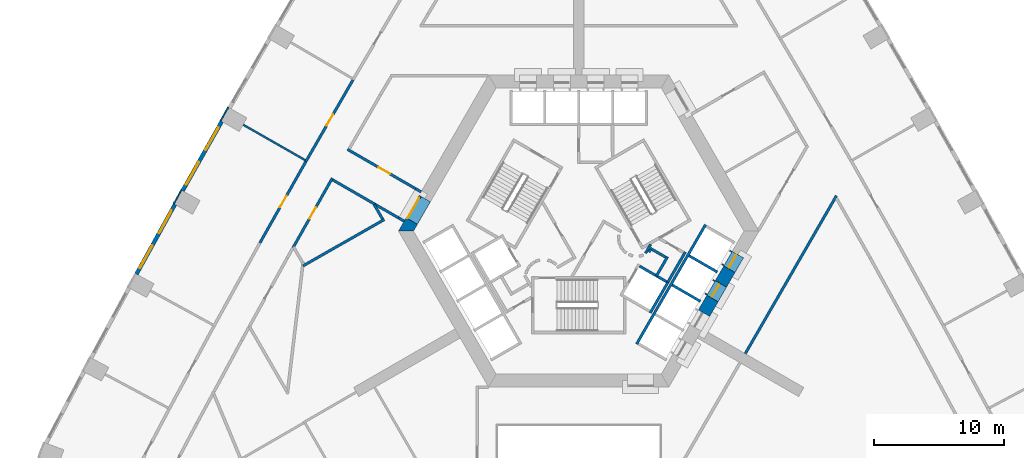
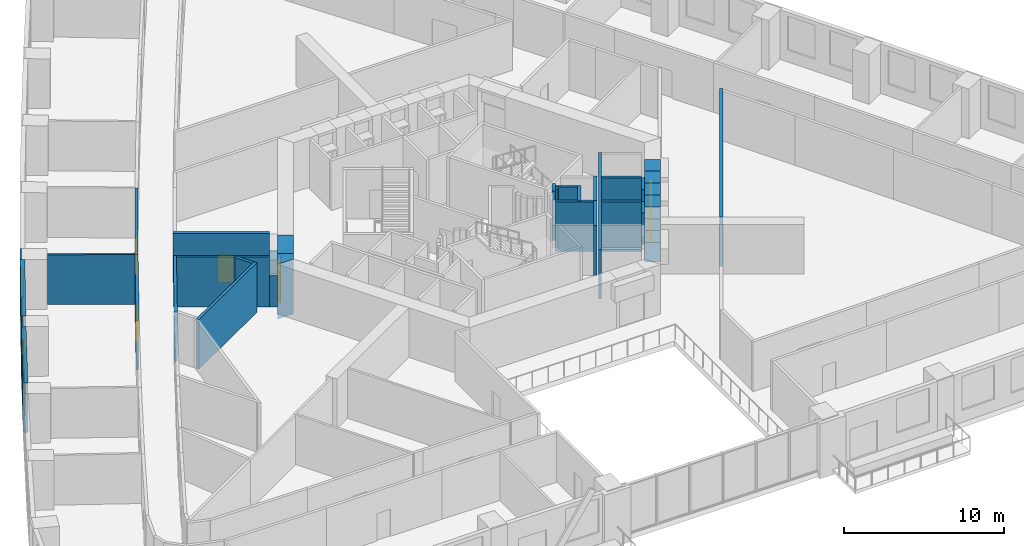
# One storey, part 7 of 14: 35 walls, 7 doors, 4 windows, 11 openings.
"""IFC4 building model written with IfcOpenShell, lengths in metres."""

from ifc_helpers import new_model, si_unit, direction, frame, frame_2d, origin, place, context, subcontext, project, spatial, polyline, rectangle, outline, extrude, material, layer, layer_set, type_object, element, fill, save


model = new_model("IFC4")

# Units and contexts
model_context = context("Model", 3, precision=1e-05, world=origin(), true_north=direction((0.0, 1.0)))
body_context = subcontext(model_context, "Body", "Model", "MODEL_VIEW")
ifc_project = project(units=[si_unit("LENGTHUNIT", "METRE"), si_unit("AREAUNIT", "SQUARE_METRE"), si_unit("VOLUMEUNIT", "CUBIC_METRE"), si_unit("PLANEANGLEUNIT", "RADIAN"), si_unit("MASSUNIT", "GRAM", prefix="KILO")], contexts=[model_context])

# Site, building, storey
site_placement = place(None, origin())
site = spatial("IfcSite", under=ifc_project, at=site_placement, CompositionType="ELEMENT")
building_placement = place(site_placement, origin())
building = spatial("IfcBuilding", under=site, at=building_placement, Name="Entoto Arch Interchange Tower", CompositionType="ELEMENT")
storey_placement = place(building_placement, frame((0.0, 0.0, 64.39990234375)))
storey = spatial("IfcBuildingStorey", under=building, at=storey_placement, Name="L13", CompositionType="ELEMENT", Elevation=64.39990234375)

# Wall, opening, door
ifc_material_1 = material(Name="Reinforced concrete C40/50", Category="concrete")
ifc_layer_1 = layer(ifc_material_1, 0.199951171875)
ifc_layer_set_1 = layer_set([ifc_layer_1], Name="Reinforced concrete C40/50")
wall_type_1 = type_object("IfcWallType", Name="CORE GAP INFILL WALL", PredefinedType="PARTITIONING", material=ifc_layer_set_1)
wall_1_placement = place(storey_placement, frame((-12.179931640625, 5.201904296875, 0.0), z_axis=(0.0, 0.0, 1.0), x_axis=(-0.50002537861, -0.866010750942, 0.0)))
wall_1 = element("IfcWall", 1, at=wall_1_placement, inside=storey, type_object=wall_type_1, Name="wall:L13:gap3", PredefinedType="PARTITIONING", context=body_context, shape_type="SweptSolid", body=[
    extrude(rectangle(XDim=2.0, YDim=0.199951171875, at=frame_2d((1.0, 0.0))), origin(), (0.0, 0.0, 1.0), 2.400146484375),
])
opening_1_placement = place(wall_1_placement, frame((0.18994140625, 0.0, 0.0)))
opening_1 = element("IfcOpeningElement", 2, at=opening_1_placement, cuts=wall_1, Name="Opening L13-D93", PredefinedType="OPENING", context=body_context, shape_type="SweptSolid", body=[
    extrude(rectangle(XDim=1.800048828125, YDim=2.10009765625, at=frame_2d((0.89990234375, 1.050048828125))), frame((0.0, 0.10986328125, 0.0), z_axis=(0.0, -1.0, 0.0), x_axis=(1.0, 0.0, 0.0)), (0.0, 0.0, 1.0), 0.219970703125),
])
ifc_material_2 = material(Name="Fire-rated Steel S235 door and frame", Category="steel")
door_type_1 = type_object("IfcDoorType", Name="DOOR FD-18 1800x2100", OperationType="DOUBLE_DOOR_SINGLE_SWING", PredefinedType="DOOR", material=ifc_material_2)
door_1_placement = place(opening_1_placement, origin())
door_1 = element("IfcDoor", 3, at=door_1_placement, inside=storey, type_object=door_type_1, Name="door:L13:gap3", OperationType="DOUBLE_DOOR_SINGLE_SWING", OverallHeight=2.10009765625, OverallWidth=1.800048828125, PredefinedType="DOOR", context=body_context, shape_type="SweptSolid", body=[
    extrude(rectangle(XDim=1.800048828125, YDim=2.10009765625, at=frame_2d((0.89990234375, 1.050048828125))), frame((0.0, 0.02490234375, 0.0), z_axis=(0.0, -1.0, 0.0), x_axis=(1.0, 0.0, 0.0)), (0.0, 0.0, 1.0), 0.050048828125),
])
fill(opening_1, door_1)

# Walls
ifc_material_3 = material(Name="Concrete C60/75", Category="concrete")
ifc_layer_2 = layer(ifc_material_3, 1.0)
ifc_layer_set_2 = layer_set([ifc_layer_2], Name="Concrete C60/75")
wall_type_2 = type_object("IfcWallType", Name="Core wall 1000 C60/75", PredefinedType="SHEAR", material=ifc_layer_set_2)
wall_2_placement = place(storey_placement, frame((0.0, 0.0, -0.39990234375)))
element("IfcWall", 4, at=wall_2_placement, inside=storey, type_object=wall_type_2, Name="Core wall NW L13", PredefinedType="SHEAR", context=body_context, shape_type="SweptSolid", body=[
    extrude(outline(polyline([(-12.402099609375, 3.02001953125), (-13.26708984375, 3.52001953125), (-13.85595703125, 2.5), (-12.701904296875, 2.5), (-12.402099609375, 3.02001953125)])), origin(), (0.0, 0.0, 1.0), 4.199951171875),
])
wall_3_placement = place(storey_placement, frame((0.0, 0.0, 3.60009765625)))
element("IfcWall", 5, at=wall_3_placement, inside=storey, type_object=wall_type_2, Name="Core wall lintel NW L13", PredefinedType="SHEAR", context=body_context, shape_type="SweptSolid", body=[
    extrude(outline(polyline([(-13.26708984375, 3.52001953125), (-12.402099609375, 3.02001953125), (-11.402099609375, 4.751953125), (-12.26708984375, 5.251953125), (-13.26708984375, 3.52001953125)])), origin(), (0.0, 0.0, 1.0), 0.199951171875),
])
wall_4_placement = place(storey_placement, frame((0.0, 0.0, -0.39990234375)))
element("IfcWall", 6, at=wall_4_placement, inside=storey, type_object=wall_type_2, Name="Core wall SE L13", PredefinedType="SHEAR", context=body_context, shape_type="SweptSolid", body=[
    extrude(outline(polyline([(10.717041015625, -2.93701171875), (9.85107421875, -2.43701171875), (9.200927734375, -3.56298828125), (10.06689453125, -4.06298828125), (10.717041015625, -2.93701171875)])), origin(), (0.0, 0.0, 1.0), 4.199951171875),
])
wall_5_placement = place(storey_placement, frame((0.0, 0.0, -0.39990234375)))
element("IfcWall", 7, at=wall_5_placement, inside=storey, type_object=wall_type_2, Name="Core wall SE L13", PredefinedType="SHEAR", context=body_context, shape_type="SweptSolid", body=[
    extrude(outline(polyline([(12.01708984375, -0.68603515625), (11.15087890625, -0.18603515625), (10.5009765625, -1.31103515625), (11.366943359375, -1.81103515625), (12.01708984375, -0.68603515625)])), origin(), (0.0, 0.0, 1.0), 4.199951171875),
])
wall_6_placement = place(storey_placement, frame((0.0, 0.0, 3.60009765625)))
element("IfcWall", 8, at=wall_6_placement, inside=storey, type_object=wall_type_2, Name="Core wall lintel SE L13", PredefinedType="SHEAR", context=body_context, shape_type="SweptSolid", body=[
    extrude(outline(polyline([(11.366943359375, -1.81103515625), (10.5009765625, -1.31103515625), (9.85107421875, -2.43701171875), (10.717041015625, -2.93701171875), (11.366943359375, -1.81103515625)])), origin(), (0.0, 0.0, 1.0), 0.199951171875),
])
wall_7_placement = place(storey_placement, frame((0.0, 0.0, 3.60009765625)))
element("IfcWall", 9, at=wall_7_placement, inside=storey, type_object=wall_type_2, Name="Core wall lintel SE L13", PredefinedType="SHEAR", context=body_context, shape_type="SweptSolid", body=[
    extrude(outline(polyline([(12.6669921875, 0.43994140625), (11.801025390625, 0.93994140625), (11.15087890625, -0.18603515625), (12.01708984375, -0.68603515625), (12.6669921875, 0.43994140625)])), origin(), (0.0, 0.0, 1.0), 0.199951171875),
])

# Wall, opening, door
ifc_material_4 = material(Name="Concrete C40/50", Category="concrete")
ifc_layer_3 = layer(ifc_material_4, 1.199951171875)
ifc_layer_set_3 = layer_set([ifc_layer_3], Name="Concrete C40/50")
wall_type_3 = type_object("IfcWallType", Name="LIFT LANDING INFILL WALL", PredefinedType="STANDARD", material=ifc_layer_set_3)
wall_8_placement = place(storey_placement, frame((10.197998046875, -2.636962890625, 0.0), z_axis=(0.0, 0.0, 1.0), x_axis=(0.49989585183, 0.866085525409, 0.0)))
wall_8 = element("IfcWall", 10, at=wall_8_placement, inside=storey, type_object=wall_type_3, Name="Lift landing infill wall LR7 L13", PredefinedType="STANDARD", context=body_context, shape_type="SweptSolid", body=[
    extrude(rectangle(XDim=1.300048828125, YDim=1.199951171875, at=frame_2d((0.64990234375, 0.0))), origin(), (0.0, 0.0, 1.0), 2.400146484375),
])
opening_2_placement = place(wall_8_placement, frame((0.10009765625, 0.0, 0.0)))
opening_2 = element("IfcOpeningElement", 11, at=opening_2_placement, cuts=wall_8, Name="Opening LD-LR7-L13", PredefinedType="OPENING", context=body_context, shape_type="SweptSolid", body=[
    extrude(rectangle(XDim=1.10009765625, YDim=2.300048828125, at=frame_2d((0.550048828125, 1.14990234375))), frame((0.0, 0.60986328125, 0.0), z_axis=(0.0, -1.0, 0.0), x_axis=(1.0, 0.0, 0.0)), (0.0, 0.0, 1.0), 1.219970703125),
])
ifc_material_5 = material(Name="Stainless steel 1.4301 panels", Category="steel")
door_type_2 = type_object("IfcDoorType", Name="LIFT LANDING DOOR LD2 1100x2300", OperationType="SLIDING_TO_LEFT", PredefinedType="DOOR", material=ifc_material_5)
door_2_placement = place(opening_2_placement, origin())
door_2 = element("IfcDoor", 12, at=door_2_placement, inside=storey, type_object=door_type_2, Name="Lift landing door LR7 L13", OperationType="SLIDING_TO_LEFT", OverallHeight=2.300048828125, OverallWidth=1.10009765625, PredefinedType="DOOR", context=body_context, shape_type="SweptSolid", body=[
    extrude(rectangle(XDim=1.10009765625, YDim=2.300048828125, at=frame_2d((0.550048828125, 1.14990234375))), frame((0.0, 0.02490234375, 0.0), z_axis=(0.0, -1.0, 0.0), x_axis=(1.0, 0.0, 0.0)), (0.0, 0.0, 1.0), 0.050048828125),
])
fill(opening_2, door_2)

wall_9_placement = place(storey_placement, frame((11.498046875, -0.385009765625, 0.0), z_axis=(0.0, 0.0, 1.0), x_axis=(0.500221244143, 0.865897630733, 0.0)))
wall_9 = element("IfcWall", 13, at=wall_9_placement, inside=storey, type_object=wall_type_3, Name="Lift landing infill wall LR8 L13", PredefinedType="STANDARD", context=body_context, shape_type="SweptSolid", body=[
    extrude(rectangle(XDim=1.29931640625, YDim=1.199951171875, at=frame_2d((0.649658203125, 0.0))), origin(), (0.0, 0.0, 1.0), 2.400146484375),
])
opening_3_placement = place(wall_9_placement, frame((0.10009765625, 0.0, 0.0)))
opening_3 = element("IfcOpeningElement", 14, at=opening_3_placement, cuts=wall_9, Name="Opening LD-LR8-L13", PredefinedType="OPENING", context=body_context, shape_type="SweptSolid", body=[
    extrude(rectangle(XDim=1.10009765625, YDim=2.300048828125, at=frame_2d((0.550048828125, 1.14990234375))), frame((0.0, 0.60986328125, 0.0), z_axis=(0.0, -1.0, 0.0), x_axis=(1.0, 0.0, 0.0)), (0.0, 0.0, 1.0), 1.219970703125),
])
door_3_placement = place(opening_3_placement, origin())
door_3 = element("IfcDoor", 15, at=door_3_placement, inside=storey, type_object=door_type_2, Name="Lift landing door LR8 L13", OperationType="SLIDING_TO_LEFT", OverallHeight=2.300048828125, OverallWidth=1.10009765625, PredefinedType="DOOR", context=body_context, shape_type="SweptSolid", body=[
    extrude(rectangle(XDim=1.10009765625, YDim=2.300048828125, at=frame_2d((0.550048828125, 1.14990234375))), frame((0.0, 0.02490234375, 0.0), z_axis=(0.0, -1.0, 0.0), x_axis=(1.0, 0.0, 0.0)), (0.0, 0.0, 1.0), 0.050048828125),
])
fill(opening_3, door_3)

# Walls
ifc_layer_4 = layer(ifc_material_4, 0.199951171875)
ifc_layer_set_4 = layer_set([ifc_layer_4], Name="Concrete C40/50")
wall_type_4 = type_object("IfcWallType", Name="LIFT SHAFT WALL 200", PredefinedType="STANDARD", material=ifc_layer_set_4)
wall_10_placement = place(storey_placement, frame((5.491943359375, -3.7880859375, 0.0), z_axis=(0.0, 0.0, 1.0), x_axis=(0.500011755427, 0.866018616679, 0.0)))
element("IfcWall", 16, at=wall_10_placement, inside=storey, type_object=wall_type_4, Name="Shaft wall SE1 back", PredefinedType="STANDARD", context=body_context, shape_type="SweptSolid", body=[
    extrude(rectangle(XDim=2.80029296875, YDim=0.199951171875, at=frame_2d((1.400146484375, 0.0))), origin(), (0.0, 0.0, 1.0), 3.800048828125),
])
wall_11_placement = place(storey_placement, frame((4.677001953125, -0.199951171875, 0.0), z_axis=(0.0, 0.0, 1.0), x_axis=(0.865973769406, -0.500089422704, 0.0)))
element("IfcWall", 17, at=wall_11_placement, inside=storey, type_object=wall_type_4, Name="Shaft wall SE1 cross 2", PredefinedType="STANDARD", context=body_context, shape_type="SweptSolid", body=[
    extrude(rectangle(XDim=2.3994140625, YDim=0.199951171875, at=frame_2d((1.19970703125, 0.0))), origin(), (0.0, 0.0, 1.0), 3.800048828125),
])
wall_12_placement = place(storey_placement, frame((4.450927734375, -6.18994140625, 0.0), z_axis=(0.0, 0.0, 1.0), x_axis=(0.50000090737, 0.866024879913, 0.0)))
element("IfcWall", 18, at=wall_12_placement, inside=storey, type_object=wall_type_4, Name="Shaft wall SE3 front", PredefinedType="STANDARD", context=body_context, shape_type="SweptSolid", body=[
    extrude(rectangle(XDim=10.60009765625, YDim=0.199951171875, at=frame_2d((5.300048828125, 0.0))), origin(), (0.0, 0.0, 1.0), 3.800048828125),
])
for number, where, z_axis, x_axis, name in (
    (19, (7.18798828125, -1.64990234375, 0.0), (0.0, 0.0, 1.0), (0.866022959057, -0.500004234368, 0.0), "Shaft wall SE3 cross 3"),
    (20, (8.488037109375, 0.60205078125, 0.0), (0.0, 0.0, 1.0), (0.866022959057, -0.500004234368, 0.0), "Shaft wall SE3 cross 4"),
):
    element("IfcWall", number, at=place(storey_placement, frame(where, z_axis=z_axis, x_axis=x_axis)), inside=storey, type_object=wall_type_4, Name=name, PredefinedType="STANDARD", context=body_context, shape_type="SweptSolid", body=[
        extrude(rectangle(XDim=2.5, YDim=0.199951171875, at=frame_2d((1.25, 0.0))), origin(), (0.0, 0.0, 1.0), 3.800048828125),
    ])
ifc_material_6 = material(Name="Gypsum board partition on steel studs", Category="steel")
ifc_layer_5 = layer(ifc_material_6, 0.14990234375)
ifc_layer_set_5 = layer_set([ifc_layer_5], Name="Gypsum board partition on steel studs")
wall_type_5 = type_object("IfcWallType", Name="PARTITION 150", PredefinedType="PARTITIONING", material=ifc_layer_set_5)
wall_13_placement = place(storey_placement, frame((-21.032958984375, 7.952880859375, 0.0), z_axis=(0.0, 0.0, 1.0), x_axis=(-0.868311678357, 0.496018980715, 0.0)))
element("IfcWall", 21, at=wall_13_placement, inside=storey, type_object=wall_type_5, Name="wall:L13:p146", PredefinedType="PARTITIONING", context=body_context, shape_type="SweptSolid", body=[
    extrude(rectangle(XDim=5.479736328125, YDim=0.14990234375, at=frame_2d((2.73974609375, 0.0))), origin(), (0.0, 0.0, 1.0), 3.800048828125),
])

# Wall, opening, door
ifc_layer_6 = layer(ifc_material_6, 0.199951171875)
ifc_layer_set_6 = layer_set([ifc_layer_6], Name="Gypsum board partition on steel studs")
wall_type_6 = type_object("IfcWallType", Name="PARTITION 200", PredefinedType="PARTITIONING", material=ifc_layer_set_6)
wall_14_placement = place(storey_placement, frame((-17.782958984375, 8.782958984375, 0.0), z_axis=(0.0, 0.0, 1.0), x_axis=(0.866041598752, -0.499971948444, 0.0)))
wall_14 = element("IfcWall", 22, at=wall_14_placement, inside=storey, type_object=wall_type_6, Name="wall:L13:p003", PredefinedType="PARTITIONING", context=body_context, shape_type="SweptSolid", body=[
    extrude(rectangle(XDim=6.042236328125, YDim=0.199951171875, at=frame_2d((3.02099609375, 0.0))), origin(), (0.0, 0.0, 1.0), 3.800048828125),
])
opening_4_placement = place(wall_14_placement, frame((2.77099609375, 0.0, 0.0)))
opening_4 = element("IfcOpeningElement", 23, at=opening_4_placement, cuts=wall_14, Name="Opening L13-D27", PredefinedType="OPENING", context=body_context, shape_type="SweptSolid", body=[
    extrude(rectangle(XDim=1.0, YDim=2.10009765625, at=frame_2d((0.5, 1.050048828125))), frame((0.0, 0.10986328125, 0.0), z_axis=(0.0, -1.0, 0.0), x_axis=(1.0, 0.0, 0.0)), (0.0, 0.0, 1.0), 0.219970703125),
])
ifc_material_7 = material(Name="Timber door leaf in Steel S235 frame", Category="steel")
door_type_3 = type_object("IfcDoorType", Name="DOOR DS-10 1000x2100", OperationType="SINGLE_SWING_LEFT", PredefinedType="DOOR", material=ifc_material_7)
door_4_placement = place(opening_4_placement, origin())
door_4 = element("IfcDoor", 24, at=door_4_placement, inside=storey, type_object=door_type_3, Name="door:L13:27", OperationType="SINGLE_SWING_LEFT", OverallHeight=2.10009765625, OverallWidth=1.0, PredefinedType="DOOR", context=body_context, shape_type="SweptSolid", body=[
    extrude(rectangle(XDim=1.0, YDim=2.10009765625, at=frame_2d((0.5, 1.050048828125))), frame((0.0, 0.02490234375, 0.0), z_axis=(0.0, -1.0, 0.0), x_axis=(1.0, 0.0, 0.0)), (0.0, 0.0, 1.0), 0.050048828125),
])
fill(opening_4, door_4)

# Wall
wall_15_placement = place(storey_placement, frame((-15.68701171875, 4.571044921875, 0.0), z_axis=(0.0, 0.0, 1.0), x_axis=(-0.866044530317, 0.49996687041, 0.0)))
element("IfcWall", 25, at=wall_15_placement, inside=storey, type_object=wall_type_6, Name="wall:L13:p027", PredefinedType="PARTITIONING", context=body_context, shape_type="SweptSolid", body=[
    extrude(rectangle(XDim=3.718017578125, YDim=0.199951171875, at=frame_2d((1.85888671875, 0.0))), origin(), (0.0, 0.0, 1.0), 3.800048828125),
])

# Wall, opening, door
wall_16_placement = place(storey_placement, frame((-18.945068359375, 6.56689453125, 0.0), z_axis=(0.0, 0.0, 1.0), x_axis=(-0.491840751019, -0.87068517596, 0.0)))
wall_16 = element("IfcWall", 26, at=wall_16_placement, inside=storey, type_object=wall_type_6, Name="wall:L13:p028", PredefinedType="PARTITIONING", context=body_context, shape_type="SweptSolid", body=[
    extrude(rectangle(XDim=6.16845703125, YDim=0.199951171875, at=frame_2d((3.084228515625, 0.0))), origin(), (0.0, 0.0, 1.0), 3.800048828125),
])
opening_5_placement = place(wall_16_placement, frame((2.583984375, 0.0, 0.0)))
opening_5 = element("IfcOpeningElement", 27, at=opening_5_placement, cuts=wall_16, Name="Opening L13-D21", PredefinedType="OPENING", context=body_context, shape_type="SweptSolid", body=[
    extrude(rectangle(XDim=1.0, YDim=2.10009765625, at=frame_2d((0.5, 1.050048828125))), frame((0.0, 0.10986328125, 0.0), z_axis=(0.0, -1.0, 0.0), x_axis=(1.0, 0.0, 0.0)), (0.0, 0.0, 1.0), 0.219970703125),
])
door_5_placement = place(opening_5_placement, origin())
door_5 = element("IfcDoor", 28, at=door_5_placement, inside=storey, type_object=door_type_3, Name="door:L13:21", OperationType="SINGLE_SWING_LEFT", OverallHeight=2.10009765625, OverallWidth=1.0, PredefinedType="DOOR", context=body_context, shape_type="SweptSolid", body=[
    extrude(rectangle(XDim=1.0, YDim=2.10009765625, at=frame_2d((0.5, 1.050048828125))), frame((0.0, 0.02490234375, 0.0), z_axis=(0.0, -1.0, 0.0), x_axis=(1.0, 0.0, 0.0)), (0.0, 0.0, 1.0), 0.050048828125),
])
fill(opening_5, door_5)

# Wall
wall_17_placement = place(storey_placement, frame((-13.4169921875, 3.260009765625, 0.0), z_axis=(0.0, 0.0, 1.0), x_axis=(-0.866071776036, 0.499919672301, 0.0)))
element("IfcWall", 29, at=wall_17_placement, inside=storey, type_object=wall_type_6, Name="wall:L13:p029", PredefinedType="PARTITIONING", context=body_context, shape_type="SweptSolid", body=[
    extrude(rectangle(XDim=0.5, YDim=0.199951171875, at=frame_2d((0.25, 0.0))), origin(), (0.0, 0.0, 1.0), 2.400146484375),
])

# Wall, opening, door
wall_18_placement = place(storey_placement, frame((-17.35595703125, 14.1220703125, 0.0), z_axis=(0.0, 0.0, 1.0), x_axis=(-0.499946764175, -0.866056137321, 0.0)))
wall_18 = element("IfcWall", 30, at=wall_18_placement, inside=storey, type_object=wall_type_6, Name="wall:L13:p070", PredefinedType="PARTITIONING", context=body_context, shape_type="SweptSolid", body=[
    extrude(rectangle(XDim=7.254638671875, YDim=0.199951171875, at=frame_2d((3.62744140625, 0.0))), origin(), (0.0, 0.0, 1.0), 3.800048828125),
])
opening_6_placement = place(wall_18_placement, frame((3.052001953125, 0.0, 0.0)))
opening_6 = element("IfcOpeningElement", 31, at=opening_6_placement, cuts=wall_18, Name="Opening L13-D13", PredefinedType="OPENING", context=body_context, shape_type="SweptSolid", body=[
    extrude(rectangle(XDim=1.0, YDim=2.10009765625, at=frame_2d((0.5, 1.050048828125))), frame((0.0, 0.10986328125, 0.0), z_axis=(0.0, -1.0, 0.0), x_axis=(1.0, 0.0, 0.0)), (0.0, 0.0, 1.0), 0.219970703125),
])
door_6_placement = place(opening_6_placement, origin())
door_6 = element("IfcDoor", 32, at=door_6_placement, inside=storey, type_object=door_type_3, Name="door:L13:13", OperationType="SINGLE_SWING_RIGHT", OverallHeight=2.10009765625, OverallWidth=1.0, PredefinedType="DOOR", context=body_context, shape_type="SweptSolid", body=[
    extrude(rectangle(XDim=1.0, YDim=2.10009765625, at=frame_2d((0.5, 1.050048828125))), frame((0.0, 0.02490234375, 0.0), z_axis=(0.0, -1.0, 0.0), x_axis=(1.0, 0.0, 0.0)), (0.0, 0.0, 1.0), 0.050048828125),
])
fill(opening_6, door_6)

wall_19_placement = place(storey_placement, frame((-24.514892578125, 1.5849609375, 0.0), z_axis=(0.0, 0.0, 1.0), x_axis=(0.49174361417, 0.870740040381, 0.0)))
wall_19 = element("IfcWall", 33, at=wall_19_placement, inside=storey, type_object=wall_type_6, Name="wall:L13:p072", PredefinedType="PARTITIONING", context=body_context, shape_type="SweptSolid", body=[
    extrude(rectangle(XDim=7.1826171875, YDim=0.199951171875, at=frame_2d((3.59130859375, 0.0))), origin(), (0.0, 0.0, 1.0), 3.800048828125),
])
opening_7_placement = place(wall_19_placement, frame((3.166015625, 0.0, 0.0)))
opening_7 = element("IfcOpeningElement", 34, at=opening_7_placement, cuts=wall_19, Name="Opening L13-D14", PredefinedType="OPENING", context=body_context, shape_type="SweptSolid", body=[
    extrude(rectangle(XDim=1.0, YDim=2.10009765625, at=frame_2d((0.5, 1.050048828125))), frame((0.0, 0.10986328125, 0.0), z_axis=(0.0, -1.0, 0.0), x_axis=(1.0, 0.0, 0.0)), (0.0, 0.0, 1.0), 0.219970703125),
])
door_7_placement = place(opening_7_placement, origin())
door_7 = element("IfcDoor", 35, at=door_7_placement, inside=storey, type_object=door_type_3, Name="door:L13:14", OperationType="SINGLE_SWING_RIGHT", OverallHeight=2.10009765625, OverallWidth=1.0, PredefinedType="DOOR", context=body_context, shape_type="SweptSolid", body=[
    extrude(rectangle(XDim=1.0, YDim=2.10009765625, at=frame_2d((0.5, 1.050048828125))), frame((0.0, 0.02490234375, 0.0), z_axis=(0.0, -1.0, 0.0), x_axis=(1.0, 0.0, 0.0)), (0.0, 0.0, 1.0), 0.050048828125),
])
fill(opening_7, door_7)

# Walls
wall_20_placement = place(storey_placement, frame((5.389892578125, 0.89794921875, 0.0), z_axis=(0.0, 0.0, 1.0), x_axis=(0.673828488714, 0.738887791073, 0.0)))
element("IfcWall", 36, at=wall_20_placement, inside=storey, type_object=wall_type_6, Name="wall:L13:p086", PredefinedType="PARTITIONING", context=body_context, shape_type="SweptSolid", body=[
    extrude(rectangle(XDim=0.2626953125, YDim=0.199951171875, at=frame_2d((0.13134765625, 0.0))), origin(), (0.0, 0.0, 1.0), 3.800048828125),
])
wall_21_placement = place(storey_placement, frame((5.4990234375, 1.172119140625, 0.0), z_axis=(0.0, 0.0, 1.0), x_axis=(0.866333505267, -0.499465972466, 0.0)))
element("IfcWall", 37, at=wall_21_placement, inside=storey, type_object=wall_type_6, Name="wall:L13:p087", PredefinedType="PARTITIONING", context=body_context, shape_type="SweptSolid", body=[
    extrude(rectangle(XDim=1.37353515625, YDim=0.199951171875, at=frame_2d((0.686767578125, 0.0))), origin(), (0.0, 0.0, 1.0), 3.800048828125),
])
wall_22_placement = place(storey_placement, frame((6.825927734375, 0.52197265625, 0.0), z_axis=(0.0, 0.0, 1.0), x_axis=(-0.500016722714, -0.866015748706, 0.0)))
element("IfcWall", 38, at=wall_22_placement, inside=storey, type_object=wall_type_6, Name="wall:L13:p088", PredefinedType="PARTITIONING", context=body_context, shape_type="SweptSolid", body=[
    extrude(rectangle(XDim=1.69970703125, YDim=0.199951171875, at=frame_2d((0.849853515625, 0.0))), origin(), (0.0, 0.0, 1.0), 3.800048828125),
])
wall_23_placement = place(storey_placement, frame((8.19189453125, 0.887939453125, 0.0), z_axis=(0.0, 0.0, 1.0), x_axis=(-0.499940625693, -0.866059680843, 0.0)))
element("IfcWall", 39, at=wall_23_placement, inside=storey, type_object=wall_type_6, Name="wall:L13:p090", PredefinedType="PARTITIONING", context=body_context, shape_type="SweptSolid", body=[
    extrude(rectangle(XDim=2.679931640625, YDim=0.199951171875, at=frame_2d((1.33984375, 0.0))), origin(), (0.0, 0.0, 1.0), 3.800048828125),
])
wall_24_placement = place(storey_placement, frame((5.135009765625, 0.79296875, 0.0), z_axis=(0.0, 0.0, 1.0), x_axis=(0.499526442893, 0.866298639529, 0.0)))
element("IfcWall", 40, at=wall_24_placement, inside=storey, type_object=wall_type_6, Name="wall:L13:p091", PredefinedType="PARTITIONING", context=body_context, shape_type="SweptSolid", body=[
    extrude(rectangle(XDim=0.790771484375, YDim=0.199951171875, at=frame_2d((0.3955078125, 0.0))), origin(), (0.0, 0.0, 1.0), 3.800048828125),
])
wall_25_placement = place(storey_placement, frame((19.81005859375, 5.2109375, 0.0), z_axis=(0.0, 0.0, 1.0), x_axis=(-0.500003368273, -0.866023459102, 0.0)))
element("IfcWall", 41, at=wall_25_placement, inside=storey, type_object=wall_type_6, Name="wall:L13:p122", PredefinedType="PARTITIONING", context=body_context, shape_type="SweptSolid", body=[
    extrude(rectangle(XDim=14.01806640625, YDim=0.199951171875, at=frame_2d((7.009033203125, 0.0))), origin(), (0.0, 0.0, 1.0), 3.800048828125),
])
wall_26_placement = place(storey_placement, frame((-15.72412109375, 4.533935546875, 0.0), z_axis=(0.0, 0.0, 1.0), x_axis=(0.500195085719, -0.865912741691, 0.0)))
element("IfcWall", 42, at=wall_26_placement, inside=storey, type_object=wall_type_6, Name="wall:L13:p123", PredefinedType="PARTITIONING", context=body_context, shape_type="SweptSolid", body=[
    extrude(rectangle(XDim=1.28173828125, YDim=0.199951171875, at=frame_2d((0.640869140625, 0.0))), origin(), (0.0, 0.0, 1.0), 3.800048828125),
])
wall_27_placement = place(storey_placement, frame((-14.946044921875, 3.386962890625, 0.0), z_axis=(0.0, 0.0, 1.0), x_axis=(-0.868556003823, -0.4955910292, 0.0)))
element("IfcWall", 43, at=wall_27_placement, inside=storey, type_object=wall_type_6, Name="wall:L13:p124", PredefinedType="PARTITIONING", context=body_context, shape_type="SweptSolid", body=[
    extrude(rectangle(XDim=7.19921875, YDim=0.199951171875, at=frame_2d((3.599609375, 0.0))), origin(), (0.0, 0.0, 1.0), 3.800048828125),
])
wall_28_placement = place(storey_placement, frame((-12.550048828125, 5.761962890625, 0.0), z_axis=(0.0, 0.0, 1.0), x_axis=(0.866071776036, -0.499919672301, 0.0)))
element("IfcWall", 44, at=wall_28_placement, inside=storey, type_object=wall_type_6, Name="wall:L13:p003", PredefinedType="PARTITIONING", context=body_context, shape_type="SweptSolid", body=[
    extrude(rectangle(XDim=0.5, YDim=0.199951171875, at=frame_2d((0.25, 0.0))), origin(), (0.0, 0.0, 1.0), 2.400146484375),
])
wall_29_placement = place(storey_placement, frame((-13.85009765625, 3.510009765625, 0.0), z_axis=(0.0, 0.0, 1.0), x_axis=(-0.865924890849, 0.500174053114, 0.0)))
element("IfcWall", 45, at=wall_29_placement, inside=storey, type_object=wall_type_6, Name="wall:L13:p029", PredefinedType="PARTITIONING", context=body_context, shape_type="SweptSolid", body=[
    extrude(rectangle(XDim=2.121337890625, YDim=0.199951171875, at=frame_2d((1.060546875, 0.0))), origin(), (0.0, 0.0, 1.0), 3.800048828125),
])

# Wall, openings, windows
ifc_material_8 = material(Name="Welded tuff (ignimbrite) cladding, warm buff", Category="masonry")
ifc_layer_7 = layer(ifc_material_8, 0.300048828125)
ifc_layer_set_7 = layer_set([ifc_layer_7], Name="Welded tuff (ignimbrite) cladding, warm buff")
wall_type_7 = type_object("IfcWallType", Name="STONE INFILL WALL 300", PredefinedType="STANDARD", material=ifc_layer_set_7)
wall_30_placement = place(storey_placement, frame((-27.448974609375, 10.927978515625, 0.0), z_axis=(0.0, 0.0, 1.0), x_axis=(-0.491887822214, -0.870658584267, 0.0)))
wall_30 = element("IfcWall", 46, at=wall_30_placement, inside=storey, type_object=wall_type_7, Name="Facade wall NW-06 L13", PredefinedType="STANDARD", context=body_context, shape_type="SweptSolid", body=[
    extrude(rectangle(XDim=6.125244140625, YDim=0.300048828125, at=frame_2d((3.0625, 0.0))), origin(), (0.0, 0.0, 1.0), 3.800048828125),
])
opening_8_placement = place(wall_30_placement, frame((0.531005859375, 0.0, 0.89990234375)))
opening_8 = element("IfcOpeningElement", 47, at=opening_8_placement, cuts=wall_30, Name="Opening WO-C", PredefinedType="OPENING", context=body_context, shape_type="SweptSolid", body=[
    extrude(rectangle(XDim=2.0, YDim=2.60009765625, at=frame_2d((1.0, 1.300048828125))), frame((0.0, 0.16015625, 0.0), z_axis=(0.0, -1.0, 0.0), x_axis=(1.0, 0.0, 0.0)), (0.0, 0.0, 1.0), 0.320068359375),
])
opening_9_placement = place(wall_30_placement, frame((3.593994140625, 0.0, 0.89990234375)))
opening_9 = element("IfcOpeningElement", 48, at=opening_9_placement, cuts=wall_30, Name="Opening WO-C", PredefinedType="OPENING", context=body_context, shape_type="SweptSolid", body=[
    extrude(rectangle(XDim=2.0, YDim=2.60009765625, at=frame_2d((1.0, 1.300048828125))), frame((0.0, 0.16015625, 0.0), z_axis=(0.0, -1.0, 0.0), x_axis=(1.0, 0.0, 0.0)), (0.0, 0.0, 1.0), 0.320068359375),
])
ifc_material_9 = material(Name="Clear glass, low-e double glazed", Category="glass")
window_type = type_object("IfcWindowType", Name="WINDOW WO-C 2000x2600", PartitioningType="DOUBLE_PANEL_VERTICAL", PredefinedType="WINDOW", material=ifc_material_9)
window_1_placement = place(opening_8_placement, origin())
window_1 = element("IfcWindow", 49, at=window_1_placement, inside=storey, type_object=window_type, Name="Window WO-C NW-06 L13", OverallHeight=2.60009765625, OverallWidth=2.0, PartitioningType="SINGLE_PANEL", PredefinedType="WINDOW", context=body_context, shape_type="SweptSolid", body=[
    extrude(rectangle(XDim=2.0, YDim=2.60009765625, at=frame_2d((1.0, 1.300048828125))), frame((0.0, 0.030029296875, 0.0), z_axis=(0.0, -1.0, 0.0), x_axis=(1.0, 0.0, 0.0)), (0.0, 0.0, 1.0), 0.06005859375),
])
fill(opening_8, window_1)
window_2_placement = place(opening_9_placement, origin())
window_2 = element("IfcWindow", 50, at=window_2_placement, inside=storey, type_object=window_type, Name="Window WO-C NW-06 L13", OverallHeight=2.60009765625, OverallWidth=2.0, PartitioningType="SINGLE_PANEL", PredefinedType="WINDOW", context=body_context, shape_type="SweptSolid", body=[
    extrude(rectangle(XDim=2.0, YDim=2.60009765625, at=frame_2d((1.0, 1.300048828125))), frame((0.0, 0.030029296875, 0.0), z_axis=(0.0, -1.0, 0.0), x_axis=(1.0, 0.0, 0.0)), (0.0, 0.0, 1.0), 0.06005859375),
])
fill(opening_9, window_2)

wall_31_placement = place(storey_placement, frame((-31.047119140625, 4.549072265625, 0.0), z_axis=(0.0, 0.0, 1.0), x_axis=(-0.483587271547, -0.875296150339, 0.0)))
wall_31 = element("IfcWall", 51, at=wall_31_placement, inside=storey, type_object=wall_type_7, Name="Facade wall NW-07 L13", PredefinedType="STANDARD", context=body_context, shape_type="SweptSolid", body=[
    extrude(rectangle(XDim=6.125, YDim=0.300048828125, at=frame_2d((3.0625, 0.0))), origin(), (0.0, 0.0, 1.0), 3.800048828125),
])
opening_10_placement = place(wall_31_placement, frame((0.531005859375, 0.0, 0.89990234375)))
opening_10 = element("IfcOpeningElement", 52, at=opening_10_placement, cuts=wall_31, Name="Opening WO-C", PredefinedType="OPENING", context=body_context, shape_type="SweptSolid", body=[
    extrude(rectangle(XDim=2.0, YDim=2.60009765625, at=frame_2d((1.0, 1.300048828125))), frame((0.0, 0.16015625, 0.0), z_axis=(0.0, -1.0, 0.0), x_axis=(1.0, 0.0, 0.0)), (0.0, 0.0, 1.0), 0.320068359375),
])
opening_11_placement = place(wall_31_placement, frame((3.593994140625, 0.0, 0.89990234375)))
opening_11 = element("IfcOpeningElement", 53, at=opening_11_placement, cuts=wall_31, Name="Opening WO-C", PredefinedType="OPENING", context=body_context, shape_type="SweptSolid", body=[
    extrude(rectangle(XDim=2.0, YDim=2.60009765625, at=frame_2d((1.0, 1.300048828125))), frame((0.0, 0.16015625, 0.0), z_axis=(0.0, -1.0, 0.0), x_axis=(1.0, 0.0, 0.0)), (0.0, 0.0, 1.0), 0.320068359375),
])
window_3_placement = place(opening_10_placement, origin())
window_3 = element("IfcWindow", 54, at=window_3_placement, inside=storey, type_object=window_type, Name="Window WO-C NW-07 L13", OverallHeight=2.60009765625, OverallWidth=2.0, PartitioningType="SINGLE_PANEL", PredefinedType="WINDOW", context=body_context, shape_type="SweptSolid", body=[
    extrude(rectangle(XDim=2.0, YDim=2.60009765625, at=frame_2d((1.0, 1.300048828125))), frame((0.0, 0.030029296875, 0.0), z_axis=(0.0, -1.0, 0.0), x_axis=(1.0, 0.0, 0.0)), (0.0, 0.0, 1.0), 0.06005859375),
])
fill(opening_10, window_3)
window_4_placement = place(opening_11_placement, origin())
window_4 = element("IfcWindow", 55, at=window_4_placement, inside=storey, type_object=window_type, Name="Window WO-C NW-07 L13", OverallHeight=2.60009765625, OverallWidth=2.0, PartitioningType="SINGLE_PANEL", PredefinedType="WINDOW", context=body_context, shape_type="SweptSolid", body=[
    extrude(rectangle(XDim=2.0, YDim=2.60009765625, at=frame_2d((1.0, 1.300048828125))), frame((0.0, 0.030029296875, 0.0), z_axis=(0.0, -1.0, 0.0), x_axis=(1.0, 0.0, 0.0)), (0.0, 0.0, 1.0), 0.06005859375),
])
fill(opening_11, window_4)

# Walls
ifc_layer_8 = layer(ifc_material_8, 0.10009765625)
ifc_layer_set_8 = layer_set([ifc_layer_8], Name="Welded tuff (ignimbrite) cladding, warm buff")
wall_type_8 = type_object("IfcWallType", Name="STONE PIER CLADDING 100", PredefinedType="STANDARD", material=ifc_layer_set_8)
wall_32_placement = place(storey_placement, frame((-26.944091796875, 12.02001953125, 0.0), z_axis=(0.0, 0.0, 1.0), x_axis=(-0.495854054996, -0.868405870629, 0.0)))
element("IfcWall", 56, at=wall_32_placement, inside=storey, type_object=wall_type_8, Name="Stone pier NW06 L13", PredefinedType="STANDARD", context=body_context, shape_type="SweptSolid", body=[
    extrude(rectangle(XDim=1.199951171875, YDim=0.10009765625, at=frame_2d((0.60009765625, 0.0))), origin(), (0.0, 0.0, 1.0), 3.800048828125),
])
wall_33_placement = place(storey_placement, frame((-30.552001953125, 5.64599609375, 0.0), z_axis=(0.0, 0.0, 1.0), x_axis=(-0.486730996044, -0.87355190887, 0.0)))
element("IfcWall", 57, at=wall_33_placement, inside=storey, type_object=wall_type_8, Name="Stone pier NW07 L13", PredefinedType="STANDARD", context=body_context, shape_type="SweptSolid", body=[
    extrude(rectangle(XDim=1.19970703125, YDim=0.10009765625, at=frame_2d((0.599853515625, 0.0))), origin(), (0.0, 0.0, 1.0), 3.800048828125),
])

save(model, "model.ifc")
